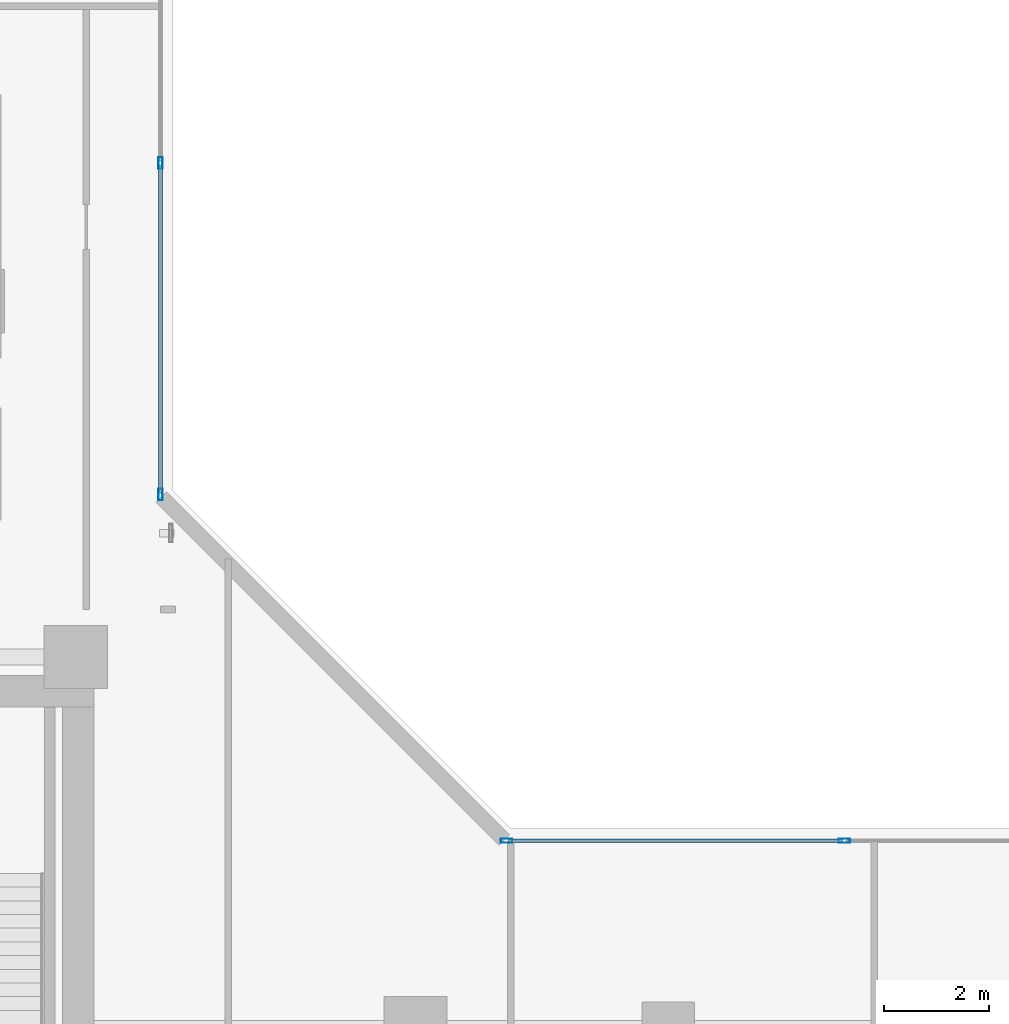
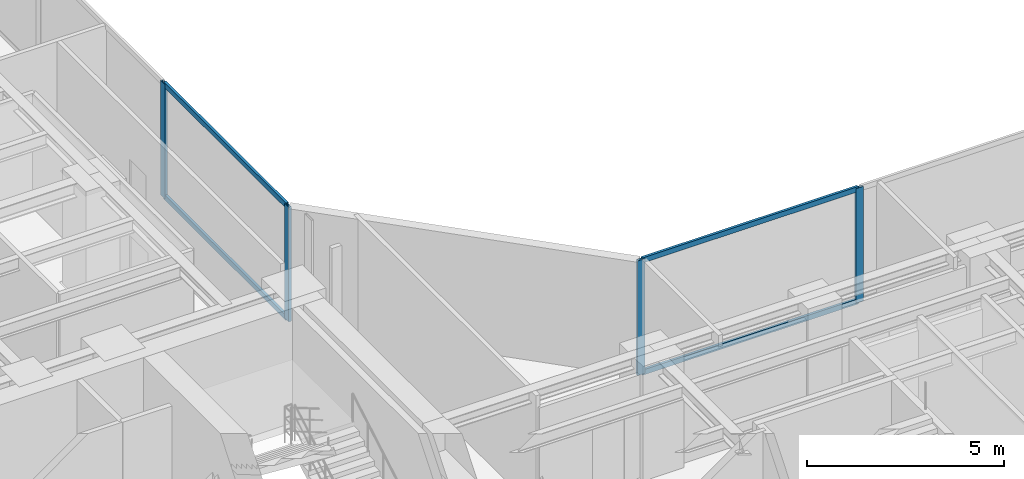
# One storey, part 9 of 24: 8 members, 2 elements without a shape of their own.
"""IFC4 building model written with IfcOpenShell, lengths in metres."""

from ifc_helpers import new_model, si_unit, direction, frame, origin, origin_with_axes, origin_2d, place, context, subcontext, project, spatial, hollow_rectangle, extrude, source, transform, mapped, material, layer, layer_set, material_profile, profile_set, type_object, element, aggregate, save


model = new_model("IFC4")

# Units and contexts
model_context = context("Model", 3, precision=1e-05, world=origin(), true_north=direction((0.0, 1.0)))
body_context = subcontext(model_context, "Body", "Model", "MODEL_VIEW")
ifc_project = project(units=[si_unit("LENGTHUNIT", "METRE"), si_unit("AREAUNIT", "SQUARE_METRE"), si_unit("VOLUMEUNIT", "CUBIC_METRE"), si_unit("PLANEANGLEUNIT", "RADIAN"), si_unit("MASSUNIT", "GRAM", prefix="KILO")], contexts=[model_context])

# Site, building, storey
site_placement = place(None, origin())
site = spatial("IfcSite", under=ifc_project, at=site_placement, CompositionType="ELEMENT")
building_placement = place(site_placement, origin())
building = spatial("IfcBuilding", under=site, at=building_placement, Name="Kolvaren Waterfront Exchange", CompositionType="ELEMENT")
storey_placement = place(building_placement, frame((0.0, 0.0, 184.199951171875)))
storey = spatial("IfcBuildingStorey", under=building, at=storey_placement, Name="L47", CompositionType="ELEMENT", Elevation=184.199951171875)

# Curtain wall, members
ifc_material_1 = material(Name="Anodised bronze aluminium 6063-T6", Category="aluminium")
ifc_layer = layer(ifc_material_1, 0.219970703125, Name="Anodised bronze aluminium 6063-T6")
ifc_layer_set = layer_set([ifc_layer], Name="Anodised bronze aluminium 6063-T6")
curtain_wall_type = type_object("IfcCurtainWallType", Name="ARC-CW-SYS1", PredefinedType="USERDEFINED", material=ifc_layer_set)
curtain_wall_1_placement = place(storey_placement, origin())
curtain_wall_1 = element("IfcCurtainWall", 1, at=curtain_wall_1_placement, inside=storey, type_object=curtain_wall_type, Name="L47 stick curtain wall CW1 (CW-L47-NE)", ObjectType="STICK CURTAIN WALL", PredefinedType="USERDEFINED")
ifc_material_2 = material(Name="Anodised aluminium 6063-T6", Category="aluminium")
ifc_material_profile_1 = material_profile(ifc_material_2, hollow_rectangle(XDim=0.080078125, YDim=0.219970703125, WallThickness=0.0048828125, at=origin_2d()), Name="ALU-MUL-220x80x5")
ifc_profile_set_1 = profile_set([ifc_material_profile_1], Name="Anodised aluminium 6063-T6")
member_type_1 = type_object("IfcMemberType", Name="ARC-CWM-220", PredefinedType="MULLION", material=ifc_profile_set_1)
shared_shape_1 = source(origin_with_axes(), body_context, "Body", "SweptSolid", [
    extrude(hollow_rectangle(XDim=0.080078125, YDim=0.219970703125, WallThickness=0.0048828125, at=origin_2d()), origin(), (0.0, 0.0, 1.0), 3.56005859375),
])
member_1_placement = place(storey_placement, frame((22.360107421875, 27.530029296875, 0.0), z_axis=(0.0, 0.0, 1.0), x_axis=(-1.0, 0.0, 0.0)))
member_1 = element("IfcMember", 2, at=member_1_placement, type_object=member_type_1, Name="CW1 mullion 1", PredefinedType="MULLION", context=body_context, shape_type="MappedRepresentation", body=[
    mapped(shared_shape_1, transform((0.0, 0.0, 0.0), x_axis=(1.0, 0.0, 0.0), y_axis=(0.0, 1.0, 0.0), z_axis=(0.0, 0.0, 1.0), scale=1.0)),
])
member_2_placement = place(storey_placement, frame((22.360107421875, 33.82666015625, 0.0), z_axis=(0.0, 0.0, 1.0), x_axis=(-1.0, 0.0, 0.0)))
member_2 = element("IfcMember", 3, at=member_2_placement, type_object=member_type_1, Name="CW1 mullion 2", PredefinedType="MULLION", context=body_context, shape_type="MappedRepresentation", body=[
    mapped(shared_shape_1, transform((0.0, 0.0, 0.0), x_axis=(1.0, 0.0, 0.0), y_axis=(0.0, 1.0, 0.0), z_axis=(0.0, 0.0, 1.0), scale=1.0)),
])

curtain_wall_2_placement = place(storey_placement, origin())
curtain_wall_2 = element("IfcCurtainWall", 4, at=curtain_wall_2_placement, inside=storey, type_object=curtain_wall_type, Name="L47 stick curtain wall CW1 (CW-L47-EN)", ObjectType="STICK CURTAIN WALL", PredefinedType="USERDEFINED")
member_3_placement = place(storey_placement, frame((28.929931640625, 20.9599609375, 0.0), z_axis=(0.0, 0.0, 1.0), x_axis=(0.0, 1.0, 0.0)))
member_3 = element("IfcMember", 5, at=member_3_placement, type_object=member_type_1, Name="CW1 mullion 1", PredefinedType="MULLION", context=body_context, shape_type="MappedRepresentation", body=[
    mapped(shared_shape_1, transform((0.0, 0.0, 0.0), x_axis=(1.0, 0.0, 0.0), y_axis=(0.0, 1.0, 0.0), z_axis=(0.0, 0.0, 1.0), scale=1.0)),
])
member_4_placement = place(storey_placement, frame((35.342529296875, 20.9599609375, 0.0), z_axis=(0.0, 0.0, 1.0), x_axis=(0.0, 1.0, 0.0)))
member_4 = element("IfcMember", 6, at=member_4_placement, type_object=member_type_1, Name="CW1 mullion 2", PredefinedType="MULLION", context=body_context, shape_type="MappedRepresentation", body=[
    mapped(shared_shape_1, transform((0.0, 0.0, 0.0), x_axis=(1.0, 0.0, 0.0), y_axis=(0.0, 1.0, 0.0), z_axis=(0.0, 0.0, 1.0), scale=1.0)),
])

# Member
ifc_material_profile_2 = material_profile(ifc_material_2, hollow_rectangle(XDim=0.074951171875, YDim=0.159912109375, WallThickness=0.00439453125, at=origin_2d()), Name="ALU-TRN-160x75x4.5")
ifc_profile_set_2 = profile_set([ifc_material_profile_2], Name="Anodised aluminium 6063-T6")
member_type_2 = type_object("IfcMemberType", Name="ARC-CWT-160", PredefinedType="USERDEFINED", material=ifc_profile_set_2)
shared_shape_2 = source(origin_with_axes(), body_context, "Body", "SweptSolid", [
    extrude(hollow_rectangle(XDim=0.074951171875, YDim=0.159912109375, WallThickness=0.00439453125, at=origin_2d()), origin(), (0.0, 0.0, 1.0), 6.216552734375),
])
member_5_placement = place(storey_placement, frame((22.360107421875, 27.570068359375, 0.03759765625), z_axis=(0.0, 1.0, 0.0), x_axis=(-1.0, 0.0, 0.0)))
member_5 = element("IfcMember", 7, at=member_5_placement, type_object=member_type_2, Name="CW1 transom 1.1", ObjectType="TRANSOM", PredefinedType="USERDEFINED", context=body_context, shape_type="MappedRepresentation", body=[
    mapped(shared_shape_2, transform((0.0, 0.0, 0.0), x_axis=(1.0, 0.0, 0.0), y_axis=(0.0, 1.0, 0.0), z_axis=(0.0, 0.0, 1.0), scale=1.0)),
])

member_6_placement = place(storey_placement, frame((22.360107421875, 27.570068359375, 3.5224609375), z_axis=(0.0, 1.0, 0.0), x_axis=(-1.0, 0.0, 0.0)))
member_6 = element("IfcMember", 8, at=member_6_placement, type_object=member_type_2, Name="CW1 transom 1.2", ObjectType="TRANSOM", PredefinedType="USERDEFINED", context=body_context, shape_type="MappedRepresentation", body=[
    mapped(shared_shape_2, transform((0.0, 0.0, 0.0), x_axis=(1.0, 0.0, 0.0), y_axis=(0.0, 1.0, 0.0), z_axis=(0.0, 0.0, 1.0), scale=1.0)),
])

aggregate(curtain_wall_1, [member_1, member_2, member_5, member_6])

shared_shape_3 = source(origin_with_axes(), body_context, "Body", "SweptSolid", [
    extrude(hollow_rectangle(XDim=0.074951171875, YDim=0.159912109375, WallThickness=0.00439453125, at=origin_2d()), origin(), (0.0, 0.0, 1.0), 6.33251953125),
])
member_7_placement = place(storey_placement, frame((28.969970703125, 20.9599609375, 0.03759765625), z_axis=(1.0, 0.0, 0.0), x_axis=(0.0, 1.0, 0.0)))
member_7 = element("IfcMember", 9, at=member_7_placement, type_object=member_type_2, Name="CW1 transom 1.1", ObjectType="TRANSOM", PredefinedType="USERDEFINED", context=body_context, shape_type="MappedRepresentation", body=[
    mapped(shared_shape_3, transform((0.0, 0.0, 0.0), x_axis=(1.0, 0.0, 0.0), y_axis=(0.0, 1.0, 0.0), z_axis=(0.0, 0.0, 1.0), scale=1.0)),
])

member_8_placement = place(storey_placement, frame((28.969970703125, 20.9599609375, 3.5224609375), z_axis=(1.0, 0.0, 0.0), x_axis=(0.0, 1.0, 0.0)))
member_8 = element("IfcMember", 10, at=member_8_placement, type_object=member_type_2, Name="CW1 transom 1.2", ObjectType="TRANSOM", PredefinedType="USERDEFINED", context=body_context, shape_type="MappedRepresentation", body=[
    mapped(shared_shape_3, transform((0.0, 0.0, 0.0), x_axis=(1.0, 0.0, 0.0), y_axis=(0.0, 1.0, 0.0), z_axis=(0.0, 0.0, 1.0), scale=1.0)),
])

aggregate(curtain_wall_2, [member_3, member_4, member_7, member_8])

save(model, "model.ifc")
